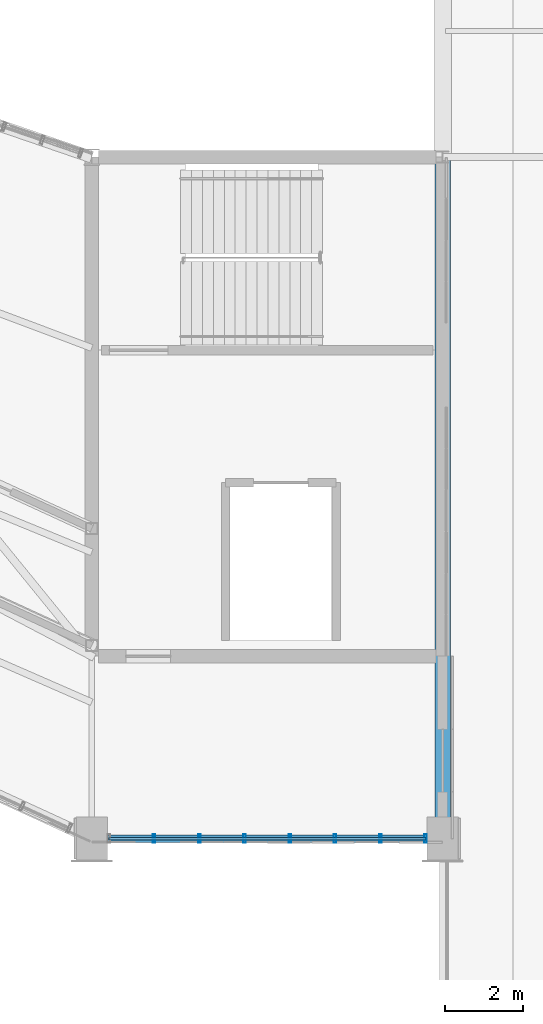
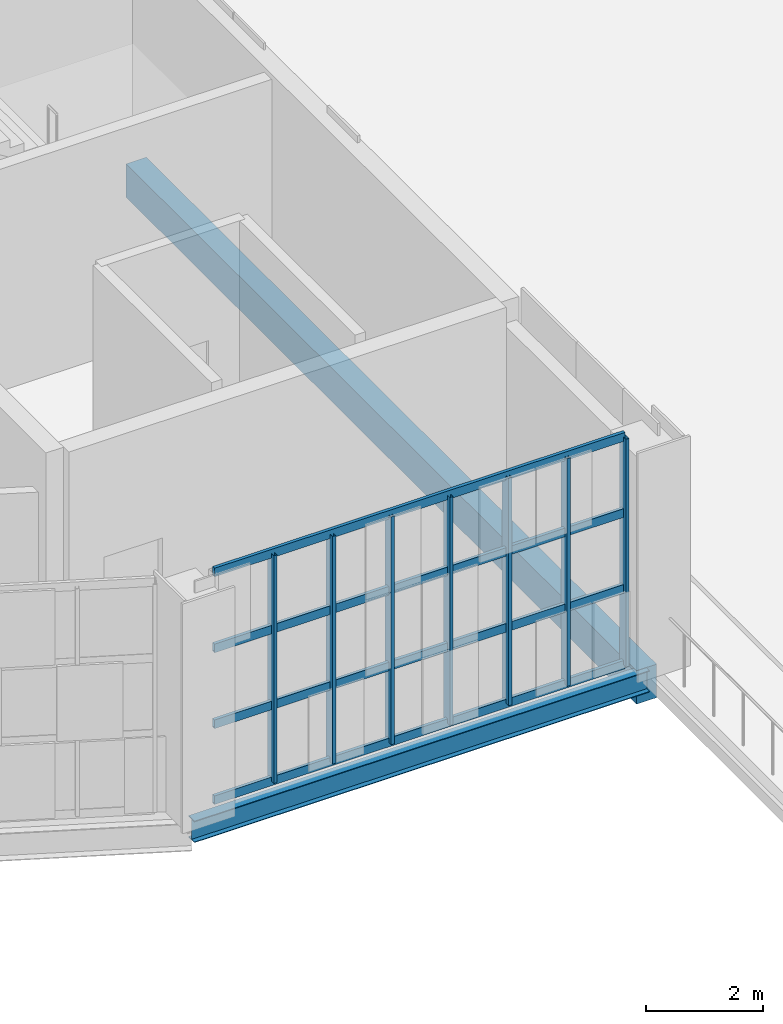
# One storey, part 39 of 66: 11 members, 2 beams, 1 element without a shape of its own.
"""IFC4 building model written with IfcOpenShell, lengths in metres."""

from ifc_helpers import new_model, si_unit, direction, frame, origin, origin_2d, place, context, subcontext, project, spatial, rectangle, hollow_rectangle, i_section, extrude, material, material_profile, profile_set, type_object, element, aggregate, save


model = new_model("IFC4")

# Units and contexts
model_context = context("Model", 3, precision=1e-05, world=origin(), true_north=direction((0.0, 1.0)))
body_context = subcontext(model_context, "Body", "Model", "MODEL_VIEW")
ifc_project = project(units=[si_unit("LENGTHUNIT", "METRE"), si_unit("AREAUNIT", "SQUARE_METRE"), si_unit("VOLUMEUNIT", "CUBIC_METRE"), si_unit("PLANEANGLEUNIT", "RADIAN"), si_unit("MASSUNIT", "GRAM", prefix="KILO")], contexts=[model_context])

# Site, building, storey
site_placement = place(None, origin())
site = spatial("IfcSite", under=ifc_project, at=site_placement, CompositionType="ELEMENT")
building_placement = place(site_placement, origin())
building = spatial("IfcBuilding", under=site, at=building_placement, Name="Solvikara Media Centre", CompositionType="ELEMENT")
storey_placement = place(building_placement, frame((0.0, 0.0, 19.800048828125)))
storey = spatial("IfcBuildingStorey", under=building, at=storey_placement, Name="L04", CompositionType="ELEMENT", Elevation=19.800048828125)

# Beams
ifc_material_1 = material(Name="Concrete fc' 35 MPa (C35/45)", Category="concrete")
ifc_material_profile_1 = material_profile(ifc_material_1, rectangle(XDim=0.39990234375, YDim=0.699951171875, at=origin_2d()), Name="RC 400x700")
ifc_profile_set_1 = profile_set([ifc_material_profile_1], Name="Concrete fc' 35 MPa (C35/45)")
beam_type_1 = type_object("IfcBeamType", Name="BM-13", PredefinedType="SPANDREL", material=ifc_profile_set_1)
beam_1_placement = place(storey_placement, frame((136.5, 19.323974609375, -0.570068359375), z_axis=(0.0, 1.0, 0.0), x_axis=(-1.0, 0.0, 0.0)))
element("IfcBeam", 1, at=beam_1_placement, inside=storey, type_object=beam_type_1, Name="B-L04-Y1537", PredefinedType="SPANDREL", context=body_context, shape_type="SweptSolid", body=[
    extrude(rectangle(XDim=0.39990234375, YDim=0.699951171875, at=origin_2d()), origin(), (0.0, 0.0, 1.0), 17.47607421875),
])
ifc_material_2 = material(Name="Steel S355JR", Category="steel")
ifc_material_profile_2 = material_profile(ifc_material_2, i_section(OverallWidth=0.199951171875, OverallDepth=0.449951171875, WebThickness=0.009033203125, FlangeThickness=0.013916015625, at=origin_2d()), Name="WF 450x200x9x14")
ifc_profile_set_2 = profile_set([ifc_material_profile_2], Name="Steel S355JR")
beam_type_2 = type_object("IfcBeamType", Name="BM-20", PredefinedType="BEAM", material=ifc_profile_set_2)
beam_2_placement = place(storey_placement, frame((127.5, 19.320068359375, -0.447021484375), z_axis=(1.0, 0.0, 0.0), x_axis=(0.0, 1.0, 0.0)))
element("IfcBeam", 2, at=beam_2_placement, inside=storey, type_object=beam_type_2, Name="B-L04-X1446", PredefinedType="BEAM", context=body_context, shape_type="SweptSolid", body=[
    extrude(i_section(OverallWidth=0.199951171875, OverallDepth=0.449951171875, WebThickness=0.009033203125, FlangeThickness=0.013916015625, at=origin_2d()), origin(), (0.0, 0.0, 1.0), 9.0),
])

# Curtain wall, members
ifc_material_3 = material(Name="Anodised aluminium EN AW-6063", Category="aluminium")
curtain_wall_type = type_object("IfcCurtainWallType", Name="CW-10", PredefinedType="NOTDEFINED", material=ifc_material_3)
curtain_wall_placement = place(storey_placement, origin())
curtain_wall = element("IfcCurtainWall", 3, at=curtain_wall_placement, inside=storey, type_object=curtain_wall_type, Name="CW-L04-BHES", PredefinedType="NOTDEFINED")
ifc_material_profile_3 = material_profile(ifc_material_3, hollow_rectangle(XDim=0.06494140625, YDim=0.219970703125, WallThickness=0.00390625, at=origin_2d()), Name="ALU-M 65x220x4")
ifc_profile_set_3 = profile_set([ifc_material_profile_3], Name="Anodised aluminium EN AW-6063")
member_type_1 = type_object("IfcMemberType", Name="MF-01", PredefinedType="MULLION", material=ifc_profile_set_3)
member_1_placement = place(storey_placement, frame((129.10009765625, 19.323974609375, 0.02001953125), z_axis=(0.0, 0.0, 1.0), x_axis=(1.0, 0.0, 0.0)))
member_1 = element("IfcMember", 4, at=member_1_placement, type_object=member_type_1, Name="CW-L04-BHES-M01", PredefinedType="MULLION", context=body_context, shape_type="SweptSolid", body=[
    extrude(hollow_rectangle(XDim=0.06494140625, YDim=0.219970703125, WallThickness=0.00390625, at=origin_2d()), origin(), (0.0, 0.0, 1.0), 4.760009765625),
])
member_2_placement = place(storey_placement, frame((130.260009765625, 19.323974609375, 0.02001953125), z_axis=(0.0, 0.0, 1.0), x_axis=(1.0, 0.0, 0.0)))
member_2 = element("IfcMember", 5, at=member_2_placement, type_object=member_type_1, Name="CW-L04-BHES-M02", PredefinedType="MULLION", context=body_context, shape_type="SweptSolid", body=[
    extrude(hollow_rectangle(XDim=0.06494140625, YDim=0.219970703125, WallThickness=0.00390625, at=origin_2d()), origin(), (0.0, 0.0, 1.0), 4.760009765625),
])
member_3_placement = place(storey_placement, frame((131.419921875, 19.323974609375, 0.02001953125), z_axis=(0.0, 0.0, 1.0), x_axis=(1.0, 0.0, 0.0)))
member_3 = element("IfcMember", 6, at=member_3_placement, type_object=member_type_1, Name="CW-L04-BHES-M03", PredefinedType="MULLION", context=body_context, shape_type="SweptSolid", body=[
    extrude(hollow_rectangle(XDim=0.06494140625, YDim=0.219970703125, WallThickness=0.00390625, at=origin_2d()), origin(), (0.0, 0.0, 1.0), 4.760009765625),
])
member_4_placement = place(storey_placement, frame((132.580078125, 19.323974609375, 0.02001953125), z_axis=(0.0, 0.0, 1.0), x_axis=(1.0, 0.0, 0.0)))
member_4 = element("IfcMember", 7, at=member_4_placement, type_object=member_type_1, Name="CW-L04-BHES-M04", PredefinedType="MULLION", context=body_context, shape_type="SweptSolid", body=[
    extrude(hollow_rectangle(XDim=0.06494140625, YDim=0.219970703125, WallThickness=0.00390625, at=origin_2d()), origin(), (0.0, 0.0, 1.0), 4.760009765625),
])
member_5_placement = place(storey_placement, frame((133.739990234375, 19.323974609375, 0.02001953125), z_axis=(0.0, 0.0, 1.0), x_axis=(1.0, 0.0, 0.0)))
member_5 = element("IfcMember", 8, at=member_5_placement, type_object=member_type_1, Name="CW-L04-BHES-M05", PredefinedType="MULLION", context=body_context, shape_type="SweptSolid", body=[
    extrude(hollow_rectangle(XDim=0.06494140625, YDim=0.219970703125, WallThickness=0.00390625, at=origin_2d()), origin(), (0.0, 0.0, 1.0), 4.760009765625),
])
member_6_placement = place(storey_placement, frame((134.89990234375, 19.323974609375, 0.02001953125), z_axis=(0.0, 0.0, 1.0), x_axis=(1.0, 0.0, 0.0)))
member_6 = element("IfcMember", 9, at=member_6_placement, type_object=member_type_1, Name="CW-L04-BHES-M06", PredefinedType="MULLION", context=body_context, shape_type="SweptSolid", body=[
    extrude(hollow_rectangle(XDim=0.06494140625, YDim=0.219970703125, WallThickness=0.00390625, at=origin_2d()), origin(), (0.0, 0.0, 1.0), 4.760009765625),
])
member_7_placement = place(storey_placement, frame((136.06005859375, 19.323974609375, 0.02001953125), z_axis=(0.0, 0.0, 1.0), x_axis=(1.0, 0.0, 0.0)))
member_7 = element("IfcMember", 10, at=member_7_placement, type_object=member_type_1, Name="CW-L04-BHES-M07", PredefinedType="MULLION", context=body_context, shape_type="SweptSolid", body=[
    extrude(hollow_rectangle(XDim=0.06494140625, YDim=0.219970703125, WallThickness=0.00390625, at=origin_2d()), origin(), (0.0, 0.0, 1.0), 4.760009765625),
])
ifc_material_profile_4 = material_profile(ifc_material_3, hollow_rectangle(XDim=0.06494140625, YDim=0.179931640625, WallThickness=0.00341796875, at=origin_2d()), Name="ALU-T 65x180x3.5")
ifc_profile_set_4 = profile_set([ifc_material_profile_4], Name="Anodised aluminium EN AW-6063")
member_type_2 = type_object("IfcMemberType", Name="MF-07", PredefinedType="USERDEFINED", material=ifc_profile_set_4)
member_8_placement = place(storey_placement, frame((127.93994140625, 19.323974609375, 0.02001953125), z_axis=(1.0, 0.0, 0.0), x_axis=(0.0, 1.0, 0.0)))
member_8 = element("IfcMember", 11, at=member_8_placement, type_object=member_type_2, Name="CW-L04-BHES-T00", ObjectType="TRANSOM", PredefinedType="USERDEFINED", context=body_context, shape_type="SweptSolid", body=[
    extrude(hollow_rectangle(XDim=0.06494140625, YDim=0.179931640625, WallThickness=0.00341796875, at=origin_2d()), origin(), (0.0, 0.0, 1.0), 8.1201171875),
])
member_9_placement = place(storey_placement, frame((127.93994140625, 19.323974609375, 1.60693359375), z_axis=(1.0, 0.0, 0.0), x_axis=(0.0, 1.0, 0.0)))
member_9 = element("IfcMember", 12, at=member_9_placement, type_object=member_type_2, Name="CW-L04-BHES-T01", ObjectType="TRANSOM", PredefinedType="USERDEFINED", context=body_context, shape_type="SweptSolid", body=[
    extrude(hollow_rectangle(XDim=0.06494140625, YDim=0.179931640625, WallThickness=0.00341796875, at=origin_2d()), origin(), (0.0, 0.0, 1.0), 8.1201171875),
])
member_10_placement = place(storey_placement, frame((127.93994140625, 19.323974609375, 3.19287109375), z_axis=(1.0, 0.0, 0.0), x_axis=(0.0, 1.0, 0.0)))
member_10 = element("IfcMember", 13, at=member_10_placement, type_object=member_type_2, Name="CW-L04-BHES-T02", ObjectType="TRANSOM", PredefinedType="USERDEFINED", context=body_context, shape_type="SweptSolid", body=[
    extrude(hollow_rectangle(XDim=0.06494140625, YDim=0.179931640625, WallThickness=0.00341796875, at=origin_2d()), origin(), (0.0, 0.0, 1.0), 8.1201171875),
])
member_11_placement = place(storey_placement, frame((127.93994140625, 19.323974609375, 4.780029296875), z_axis=(1.0, 0.0, 0.0), x_axis=(0.0, 1.0, 0.0)))
member_11 = element("IfcMember", 14, at=member_11_placement, type_object=member_type_2, Name="CW-L04-BHES-T03", ObjectType="TRANSOM", PredefinedType="USERDEFINED", context=body_context, shape_type="SweptSolid", body=[
    extrude(hollow_rectangle(XDim=0.06494140625, YDim=0.179931640625, WallThickness=0.00341796875, at=origin_2d()), origin(), (0.0, 0.0, 1.0), 8.1201171875),
])
aggregate(curtain_wall, [member_1, member_2, member_3, member_4, member_5, member_6, member_7, member_8, member_9, member_10, member_11])

save(model, "model.ifc")
